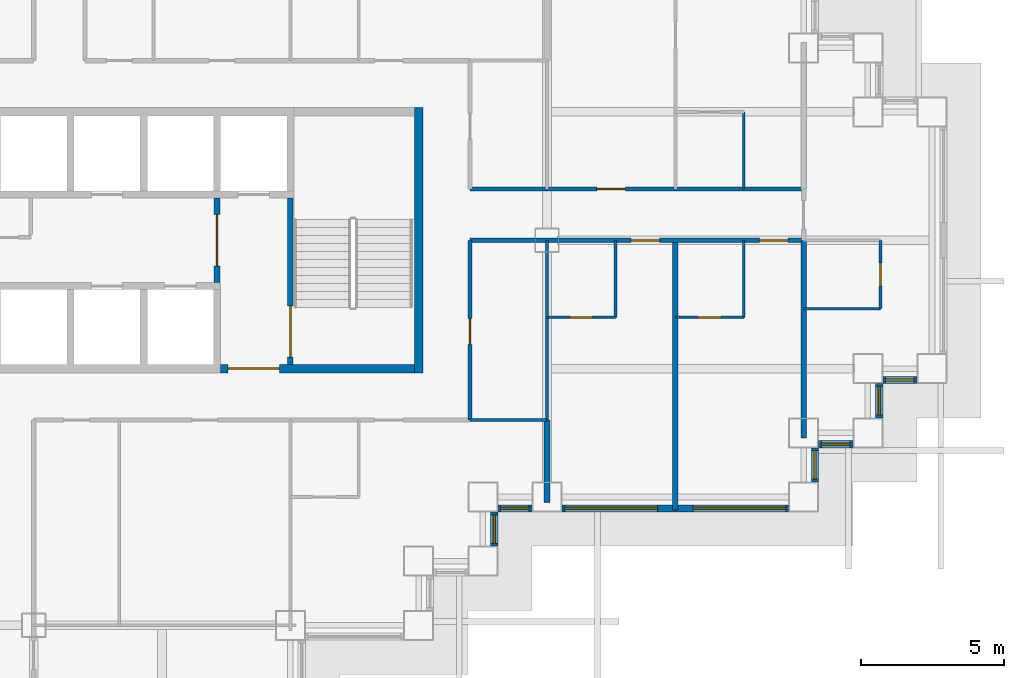
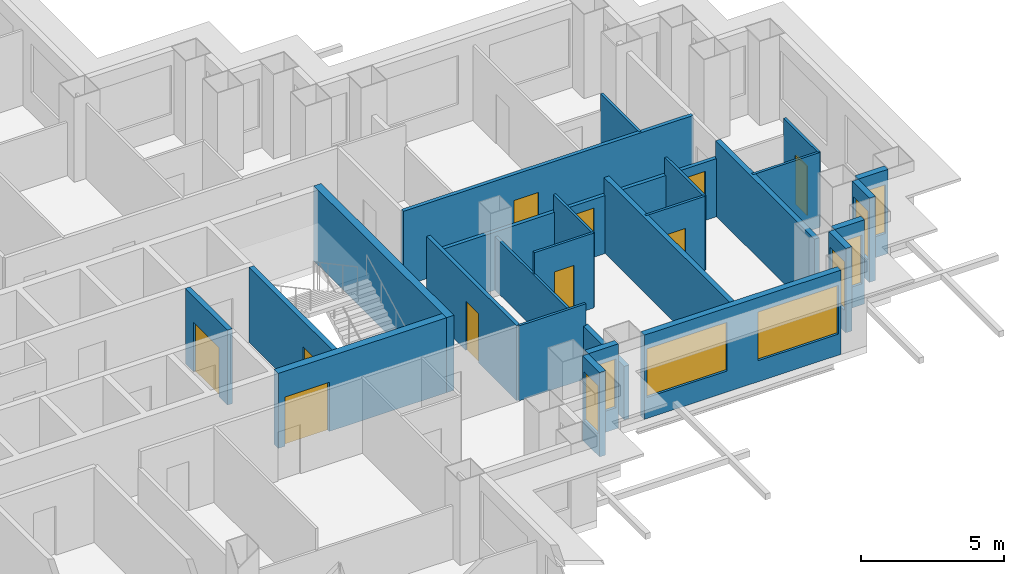
# One storey, part 6 of 15: 26 walls, 10 doors, 8 windows, 18 openings.
"""IFC4 building model written with IfcOpenShell, lengths in metres."""

from ifc_helpers import new_model, si_unit, direction, frame, frame_2d, origin, place, context, subcontext, project, spatial, rectangle, extrude, material, layer, layer_set, type_object, element, fill, save


model = new_model("IFC4")

# Units and contexts
model_context = context("Model", 3, precision=1e-05, world=origin(), true_north=direction((0.0, 1.0)))
body_context = subcontext(model_context, "Body", "Model", "MODEL_VIEW")
ifc_project = project(units=[si_unit("LENGTHUNIT", "METRE"), si_unit("AREAUNIT", "SQUARE_METRE"), si_unit("VOLUMEUNIT", "CUBIC_METRE"), si_unit("PLANEANGLEUNIT", "RADIAN"), si_unit("MASSUNIT", "GRAM", prefix="KILO")], contexts=[model_context])

# Site, building, storey
site_placement = place(None, origin())
site = spatial("IfcSite", under=ifc_project, at=site_placement, CompositionType="ELEMENT")
building_placement = place(site_placement, origin())
building = spatial("IfcBuilding", under=site, at=building_placement, Name="Caravel Reach Hotel and Residences", CompositionType="ELEMENT")
storey_placement = place(building_placement, frame((0.0, 0.0, 44.39990234375)))
storey = spatial("IfcBuildingStorey", under=building, at=storey_placement, Name="L09", CompositionType="ELEMENT", Elevation=44.39990234375)

# Wall, opening, door
ifc_material_1 = material(Name="Gypsum board on steel stud", Category="steel")
ifc_layer_1 = layer(ifc_material_1, 0.10009765625)
ifc_layer_set_1 = layer_set([ifc_layer_1], Name="Bathroom pod wall 100 mm")
wall_type_1 = type_object("IfcWallType", Name="Bathroom pod wall 100 mm", PredefinedType="PARTITIONING", material=ifc_layer_set_1)
wall_1_placement = place(storey_placement, frame((49.5, 24.300048828125, 0.0), z_axis=(0.0, 0.0, 1.0), x_axis=(1.0, 0.0, 0.0)))
wall_1 = element("IfcWall", 1, at=wall_1_placement, inside=storey, type_object=wall_type_1, Name="L09 wall w079", PredefinedType="PARTITIONING", context=body_context, shape_type="SweptSolid", body=[
    extrude(rectangle(XDim=2.39990234375, YDim=0.10009765625, at=frame_2d((1.199951171875, 0.0))), origin(), (0.0, 0.0, 1.0), 3.2001953125),
])
opening_1_placement = place(wall_1_placement, frame((0.800048828125, 0.0, 0.0)))
opening_1 = element("IfcOpeningElement", 2, at=opening_1_placement, cuts=wall_1, Name="Opening D09-021", PredefinedType="OPENING", context=body_context, shape_type="SweptSolid", body=[
    extrude(rectangle(XDim=0.800048828125, YDim=2.10009765625, at=frame_2d((0.39990234375, 1.050048828125))), frame((0.0, 0.06005859375, 0.0), z_axis=(0.0, -1.0, 0.0), x_axis=(1.0, 0.0, 0.0)), (0.0, 0.0, 1.0), 0.1201171875),
])
ifc_material_2 = material(Name="Timber and steel door leaf", Category="steel")
door_type_1 = type_object("IfcDoorType", Name="Bathroom door 800 x 2100", OperationType="SINGLE_SWING_LEFT", PredefinedType="DOOR", material=ifc_material_2)
door_1_placement = place(opening_1_placement, origin())
door_1 = element("IfcDoor", 3, at=door_1_placement, inside=storey, type_object=door_type_1, Name="door D09-021", OperationType="SINGLE_SWING_RIGHT", OverallHeight=2.10009765625, OverallWidth=0.800048828125, PredefinedType="DOOR", context=body_context, shape_type="SweptSolid", body=[
    extrude(rectangle(XDim=0.800048828125, YDim=2.10009765625, at=frame_2d((0.39990234375, 1.050048828125))), frame((0.0, 0.02490234375, 0.0), z_axis=(0.0, -1.0, 0.0), x_axis=(1.0, 0.0, 0.0)), (0.0, 0.0, 1.0), 0.050048828125),
])
fill(opening_1, door_1)

wall_2_placement = place(storey_placement, frame((54.0, 24.300048828125, 0.0), z_axis=(0.0, 0.0, 1.0), x_axis=(1.0, 0.0, 0.0)))
wall_2 = element("IfcWall", 4, at=wall_2_placement, inside=storey, type_object=wall_type_1, Name="L09 wall w080", PredefinedType="PARTITIONING", context=body_context, shape_type="SweptSolid", body=[
    extrude(rectangle(XDim=2.39990234375, YDim=0.10009765625, at=frame_2d((1.199951171875, 0.0))), origin(), (0.0, 0.0, 1.0), 3.2001953125),
])
opening_2_placement = place(wall_2_placement, frame((0.800048828125, 0.0, 0.0)))
opening_2 = element("IfcOpeningElement", 5, at=opening_2_placement, cuts=wall_2, Name="Opening D09-023", PredefinedType="OPENING", context=body_context, shape_type="SweptSolid", body=[
    extrude(rectangle(XDim=0.800048828125, YDim=2.10009765625, at=frame_2d((0.39990234375, 1.050048828125))), frame((0.0, 0.06005859375, 0.0), z_axis=(0.0, -1.0, 0.0), x_axis=(1.0, 0.0, 0.0)), (0.0, 0.0, 1.0), 0.1201171875),
])
door_2_placement = place(opening_2_placement, origin())
door_2 = element("IfcDoor", 6, at=door_2_placement, inside=storey, type_object=door_type_1, Name="door D09-023", OperationType="SINGLE_SWING_RIGHT", OverallHeight=2.10009765625, OverallWidth=0.800048828125, PredefinedType="DOOR", context=body_context, shape_type="SweptSolid", body=[
    extrude(rectangle(XDim=0.800048828125, YDim=2.10009765625, at=frame_2d((0.39990234375, 1.050048828125))), frame((0.0, 0.02490234375, 0.0), z_axis=(0.0, -1.0, 0.0), x_axis=(1.0, 0.0, 0.0)), (0.0, 0.0, 1.0), 0.050048828125),
])
fill(opening_2, door_2)

# Walls
for number, where, z_axis, x_axis, name in (
    (7, (58.5, 24.60009765625, 0.0), (0.0, 0.0, 1.0), (1.0, 0.0, 0.0), "L09 wall w081"),
    (8, (51.89990234375, 24.300048828125, 0.0), (0.0, 0.0, 1.0), (0.0, 1.0, 0.0), "L09 wall w101"),
    (9, (56.39990234375, 24.300048828125, 0.0), (0.0, 0.0, 1.0), (0.0, 1.0, 0.0), "L09 wall w102"),
    (10, (56.39990234375, 28.800048828125, 0.0), (0.0, 0.0, 1.0), (0.0, 1.0, 0.0), "L09 wall w103"),
):
    element("IfcWall", number, at=place(storey_placement, frame(where, z_axis=z_axis, x_axis=x_axis)), inside=storey, type_object=wall_type_1, Name=name, PredefinedType="PARTITIONING", context=body_context, shape_type="SweptSolid", body=[
        extrude(rectangle(XDim=2.699951171875, YDim=0.10009765625, at=frame_2d((1.35009765625, 0.0))), origin(), (0.0, 0.0, 1.0), 3.2001953125),
    ])

# Wall, opening, door
wall_3_placement = place(storey_placement, frame((61.199951171875, 24.60009765625, 0.0), z_axis=(0.0, 0.0, 1.0), x_axis=(0.0, 1.0, 0.0)))
wall_3 = element("IfcWall", 11, at=wall_3_placement, inside=storey, type_object=wall_type_1, Name="L09 wall w104", PredefinedType="PARTITIONING", context=body_context, shape_type="SweptSolid", body=[
    extrude(rectangle(XDim=2.39990234375, YDim=0.10009765625, at=frame_2d((1.199951171875, 0.0))), origin(), (0.0, 0.0, 1.0), 3.2001953125),
])
opening_3_placement = place(wall_3_placement, frame((0.800048828125, 0.0, 0.0)))
opening_3 = element("IfcOpeningElement", 12, at=opening_3_placement, cuts=wall_3, Name="Opening D09-039", PredefinedType="OPENING", context=body_context, shape_type="SweptSolid", body=[
    extrude(rectangle(XDim=0.800048828125, YDim=2.10009765625, at=frame_2d((0.39990234375, 1.050048828125))), frame((0.0, 0.06005859375, 0.0), z_axis=(0.0, -1.0, 0.0), x_axis=(1.0, 0.0, 0.0)), (0.0, 0.0, 1.0), 0.1201171875),
])
door_3_placement = place(opening_3_placement, origin())
door_3 = element("IfcDoor", 13, at=door_3_placement, inside=storey, type_object=door_type_1, Name="door D09-039", OperationType="SINGLE_SWING_RIGHT", OverallHeight=2.10009765625, OverallWidth=0.800048828125, PredefinedType="DOOR", context=body_context, shape_type="SweptSolid", body=[
    extrude(rectangle(XDim=0.800048828125, YDim=2.10009765625, at=frame_2d((0.39990234375, 1.050048828125))), frame((0.0, 0.02490234375, 0.0), z_axis=(0.0, -1.0, 0.0), x_axis=(1.0, 0.0, 0.0)), (0.0, 0.0, 1.0), 0.050048828125),
])
fill(opening_3, door_3)

ifc_material_3 = material(Name="Concrete C60", Category="concrete")
ifc_layer_2 = layer(ifc_material_3, 0.300048828125)
ifc_layer_set_2 = layer_set([ifc_layer_2], Name="Core wall 300 mm EI 120")
wall_type_2 = type_object("IfcWallType", Name="Core wall 300 mm EI 120", PredefinedType="SHEAR", material=ifc_layer_set_2)
wall_4_placement = place(storey_placement, frame((38.053466796875, 22.5, 0.0), z_axis=(0.0, 0.0, 1.0), x_axis=(1.0, 0.0, 0.0)))
wall_4 = element("IfcWall", 14, at=wall_4_placement, inside=storey, type_object=wall_type_2, Name="L09 core wall S2", PredefinedType="SHEAR", context=body_context, shape_type="SweptSolid", body=[
    extrude(rectangle(XDim=6.796630859375, YDim=0.300048828125, at=frame_2d((3.3984375, 0.0))), origin(), (0.0, 0.0, 1.0), 3.2001953125),
])
opening_4_placement = place(wall_4_placement, frame((0.2607421875, 0.0, 0.0)))
opening_4 = element("IfcOpeningElement", 15, at=opening_4_placement, cuts=wall_4, Name="Opening D09-015", PredefinedType="OPENING", context=body_context, shape_type="SweptSolid", body=[
    extrude(rectangle(XDim=1.800048828125, YDim=2.10009765625, at=frame_2d((0.89990234375, 1.050048828125))), frame((0.0, 0.159912109375, 0.0), z_axis=(0.0, -1.0, 0.0), x_axis=(1.0, 0.0, 0.0)), (0.0, 0.0, 1.0), 0.320068359375),
])
ifc_material_4 = material(Name="Steel fire door leaf", Category="steel")
door_type_2 = type_object("IfcDoorType", Name="Fire lobby door pair 1800 x 2100 EI 90", OperationType="DOUBLE_DOOR_SINGLE_SWING", PredefinedType="DOOR", material=ifc_material_4)
door_4_placement = place(opening_4_placement, origin())
door_4 = element("IfcDoor", 16, at=door_4_placement, inside=storey, type_object=door_type_2, Name="lobby S door pair to corridor", OperationType="DOUBLE_DOOR_SINGLE_SWING", OverallHeight=2.10009765625, OverallWidth=1.800048828125, PredefinedType="DOOR", context=body_context, shape_type="SweptSolid", body=[
    extrude(rectangle(XDim=1.800048828125, YDim=2.10009765625, at=frame_2d((0.89990234375, 1.050048828125))), frame((0.0, 0.02490234375, 0.0), z_axis=(0.0, -1.0, 0.0), x_axis=(1.0, 0.0, 0.0)), (0.0, 0.0, 1.0), 0.050048828125),
])
fill(opening_4, door_4)

# Wall
wall_5_placement = place(storey_placement, frame((45.0, 22.35009765625, 0.0), z_axis=(0.0, 0.0, 1.0), x_axis=(0.0, 1.0, 0.0)))
element("IfcWall", 17, at=wall_5_placement, inside=storey, type_object=wall_type_2, Name="L09 core wall E", PredefinedType="SHEAR", context=body_context, shape_type="SweptSolid", body=[
    extrude(rectangle(XDim=9.2998046875, YDim=0.300048828125, at=frame_2d((4.64990234375, 0.0))), origin(), (0.0, 0.0, 1.0), 3.2001953125),
])

# Wall, openings, doors
ifc_material_5 = material(Name="Gypsum board on steel stud, fire-rated", Category="steel")
ifc_layer_3 = layer(ifc_material_5, 0.14990234375)
ifc_layer_set_3 = layer_set([ifc_layer_3], Name="Corridor wall 150 mm EI 60")
wall_type_3 = type_object("IfcWallType", Name="Corridor wall 150 mm EI 60", PredefinedType="PARTITIONING", material=ifc_layer_set_3)
wall_6_placement = place(storey_placement, frame((46.800048828125, 27.0, 0.0), z_axis=(0.0, 0.0, 1.0), x_axis=(1.0, 0.0, 0.0)))
wall_6 = element("IfcWall", 18, at=wall_6_placement, inside=storey, type_object=wall_type_3, Name="L09 wall w011", PredefinedType="PARTITIONING", context=body_context, shape_type="SweptSolid", body=[
    extrude(rectangle(XDim=11.699951171875, YDim=0.14990234375, at=frame_2d((5.85009765625, 0.0))), origin(), (0.0, 0.0, 1.0), 2.47998046875),
])
opening_5_placement = place(wall_6_placement, frame((5.64990234375, 0.0, 0.0)))
opening_5 = element("IfcOpeningElement", 19, at=opening_5_placement, cuts=wall_6, Name="Opening D09-020", PredefinedType="OPENING", context=body_context, shape_type="SweptSolid", body=[
    extrude(rectangle(XDim=1.0, YDim=2.10009765625, at=frame_2d((0.5, 1.050048828125))), frame((0.0, 0.0849609375, 0.0), z_axis=(0.0, -1.0, 0.0), x_axis=(1.0, 0.0, 0.0)), (0.0, 0.0, 1.0), 0.169921875),
])
opening_6_placement = place(wall_6_placement, frame((10.14990234375, 0.0, 0.0)))
opening_6 = element("IfcOpeningElement", 20, at=opening_6_placement, cuts=wall_6, Name="Opening D09-022", PredefinedType="OPENING", context=body_context, shape_type="SweptSolid", body=[
    extrude(rectangle(XDim=1.0, YDim=2.10009765625, at=frame_2d((0.5, 1.050048828125))), frame((0.0, 0.0849609375, 0.0), z_axis=(0.0, -1.0, 0.0), x_axis=(1.0, 0.0, 0.0)), (0.0, 0.0, 1.0), 0.169921875),
])
ifc_material_6 = material(Name="Steel fire door leaf", Category="steel")
door_type_3 = type_object("IfcDoorType", Name="Guest room door 1000 x 2100 EI 30", OperationType="SINGLE_SWING_LEFT", PredefinedType="DOOR", material=ifc_material_6)
door_5_placement = place(opening_5_placement, origin())
door_5 = element("IfcDoor", 21, at=door_5_placement, inside=storey, type_object=door_type_3, Name="door D09-020", OperationType="SINGLE_SWING_RIGHT", OverallHeight=2.10009765625, OverallWidth=1.0, PredefinedType="DOOR", context=body_context, shape_type="SweptSolid", body=[
    extrude(rectangle(XDim=1.0, YDim=2.10009765625, at=frame_2d((0.5, 1.050048828125))), frame((0.0, 0.02490234375, 0.0), z_axis=(0.0, -1.0, 0.0), x_axis=(1.0, 0.0, 0.0)), (0.0, 0.0, 1.0), 0.050048828125),
])
fill(opening_5, door_5)
door_6_placement = place(opening_6_placement, origin())
door_6 = element("IfcDoor", 22, at=door_6_placement, inside=storey, type_object=door_type_3, Name="door D09-022", OperationType="SINGLE_SWING_RIGHT", OverallHeight=2.10009765625, OverallWidth=1.0, PredefinedType="DOOR", context=body_context, shape_type="SweptSolid", body=[
    extrude(rectangle(XDim=1.0, YDim=2.10009765625, at=frame_2d((0.5, 1.050048828125))), frame((0.0, 0.02490234375, 0.0), z_axis=(0.0, -1.0, 0.0), x_axis=(1.0, 0.0, 0.0)), (0.0, 0.0, 1.0), 0.050048828125),
])
fill(opening_6, door_6)

# Wall, opening, door
wall_7_placement = place(storey_placement, frame((46.800048828125, 28.800048828125, 0.0), z_axis=(0.0, 0.0, 1.0), x_axis=(1.0, 0.0, 0.0)))
wall_7 = element("IfcWall", 23, at=wall_7_placement, inside=storey, type_object=wall_type_3, Name="L09 wall w013", PredefinedType="PARTITIONING", context=body_context, shape_type="SweptSolid", body=[
    extrude(rectangle(XDim=11.699951171875, YDim=0.14990234375, at=frame_2d((5.85009765625, 0.0))), origin(), (0.0, 0.0, 1.0), 3.2001953125),
])
opening_7_placement = place(wall_7_placement, frame((4.449951171875, 0.0, 0.0)))
opening_7 = element("IfcOpeningElement", 24, at=opening_7_placement, cuts=wall_7, Name="Opening D09-024", PredefinedType="OPENING", context=body_context, shape_type="SweptSolid", body=[
    extrude(rectangle(XDim=1.0, YDim=2.10009765625, at=frame_2d((0.5, 1.050048828125))), frame((0.0, 0.0849609375, 0.0), z_axis=(0.0, -1.0, 0.0), x_axis=(1.0, 0.0, 0.0)), (0.0, 0.0, 1.0), 0.169921875),
])
door_7_placement = place(opening_7_placement, origin())
door_7 = element("IfcDoor", 25, at=door_7_placement, inside=storey, type_object=door_type_3, Name="door D09-024", OperationType="SINGLE_SWING_LEFT", OverallHeight=2.10009765625, OverallWidth=1.0, PredefinedType="DOOR", context=body_context, shape_type="SweptSolid", body=[
    extrude(rectangle(XDim=1.0, YDim=2.10009765625, at=frame_2d((0.5, 1.050048828125))), frame((0.0, 0.02490234375, 0.0), z_axis=(0.0, -1.0, 0.0), x_axis=(1.0, 0.0, 0.0)), (0.0, 0.0, 1.0), 0.050048828125),
])
fill(opening_7, door_7)

wall_8_placement = place(storey_placement, frame((46.800048828125, 20.699951171875, 0.0), z_axis=(0.0, 0.0, 1.0), x_axis=(0.0, 1.0, 0.0)))
wall_8 = element("IfcWall", 26, at=wall_8_placement, inside=storey, type_object=wall_type_3, Name="L09 wall w035", PredefinedType="PARTITIONING", context=body_context, shape_type="SweptSolid", body=[
    extrude(rectangle(XDim=6.300048828125, YDim=0.14990234375, at=frame_2d((3.14990234375, 0.0))), origin(), (0.0, 0.0, 1.0), 3.2001953125),
])
opening_8_placement = place(wall_8_placement, frame((2.64990234375, 0.0, 0.0)))
opening_8 = element("IfcOpeningElement", 27, at=opening_8_placement, cuts=wall_8, Name="Opening D09-059", PredefinedType="OPENING", context=body_context, shape_type="SweptSolid", body=[
    extrude(rectangle(XDim=0.89990234375, YDim=2.10009765625, at=frame_2d((0.449951171875, 1.050048828125))), frame((0.0, 0.0849609375, 0.0), z_axis=(0.0, -1.0, 0.0), x_axis=(1.0, 0.0, 0.0)), (0.0, 0.0, 1.0), 0.169921875),
])
ifc_material_7 = material(Name="Timber and steel door leaf", Category="steel")
door_type_4 = type_object("IfcDoorType", Name="Door 900 x 2100 timber", OperationType="SINGLE_SWING_LEFT", PredefinedType="DOOR", material=ifc_material_7)
door_8_placement = place(opening_8_placement, origin())
door_8 = element("IfcDoor", 28, at=door_8_placement, inside=storey, type_object=door_type_4, Name="door D09-059", OperationType="SINGLE_SWING_RIGHT", OverallHeight=2.10009765625, OverallWidth=0.89990234375, PredefinedType="DOOR", context=body_context, shape_type="SweptSolid", body=[
    extrude(rectangle(XDim=0.89990234375, YDim=2.10009765625, at=frame_2d((0.449951171875, 1.050048828125))), frame((0.0, 0.02490234375, 0.0), z_axis=(0.0, -1.0, 0.0), x_axis=(1.0, 0.0, 0.0)), (0.0, 0.0, 1.0), 0.050048828125),
])
fill(opening_8, door_8)

# Wall, opening, window
ifc_material_8 = material(Name="Insulated rainscreen wall, aluminium cladding", Category="aluminium")
ifc_layer_4 = layer(ifc_material_8, 0.25)
ifc_layer_set_4 = layer_set([ifc_layer_4], Name="EW1 Tower rainscreen wall")
wall_type_4 = type_object("IfcWallType", Name="EW1 Tower rainscreen wall", PredefinedType="SOLIDWALL", material=ifc_layer_set_4)
wall_9_placement = place(storey_placement, frame((47.64990234375, 16.27490234375, 0.0), z_axis=(0.0, 0.0, 1.0), x_axis=(0.0, 1.0, 0.0)))
wall_9 = element("IfcWall", 29, at=wall_9_placement, inside=storey, type_object=wall_type_4, Name="External wall L09 E14.1", PredefinedType="SOLIDWALL", context=body_context, shape_type="SweptSolid", body=[
    extrude(rectangle(XDim=1.2001953125, YDim=0.25, at=frame_2d((0.60009765625, 0.0))), origin(), (0.0, 0.0, 1.0), 3.60009765625),
])
opening_9_placement = place(wall_9_placement, frame((0.10009765625, 0.0, 0.89990234375)))
opening_9 = element("IfcOpeningElement", 30, at=opening_9_placement, cuts=wall_9, Name="Opening WN1", PredefinedType="OPENING", context=body_context, shape_type="SweptSolid", body=[
    extrude(rectangle(XDim=1.0, YDim=2.080078125, at=frame_2d((0.5, 1.0400390625))), frame((0.0, 0.135009765625, 0.0), z_axis=(0.0, -1.0, 0.0), x_axis=(1.0, 0.0, 0.0)), (0.0, 0.0, 1.0), 0.27001953125),
])
ifc_material_9 = material(Name="Dark low-e glazing in black aluminium frame", Category="aluminium")
window_type_1 = type_object("IfcWindowType", Name="Hotel suite corner window 1000 x 2080", PartitioningType="SINGLE_PANEL", PredefinedType="WINDOW", material=ifc_material_9)
window_1_placement = place(opening_9_placement, origin())
window_1 = element("IfcWindow", 31, at=window_1_placement, inside=storey, type_object=window_type_1, Name="Window L09 E14.1.1", OverallHeight=2.080078125, OverallWidth=1.0, PartitioningType="SINGLE_PANEL", PredefinedType="WINDOW", context=body_context, shape_type="SweptSolid", body=[
    extrude(rectangle(XDim=1.0, YDim=2.080078125, at=frame_2d((0.5, 1.0400390625))), frame((0.0, 0.030029296875, 0.0), z_axis=(0.0, -1.0, 0.0), x_axis=(1.0, 0.0, 0.0)), (0.0, 0.0, 1.0), 0.06005859375),
])
fill(opening_9, window_1)

wall_10_placement = place(storey_placement, frame((47.77490234375, 17.60009765625, 0.0), z_axis=(0.0, 0.0, 1.0), x_axis=(1.0, 0.0, 0.0)))
wall_10 = element("IfcWall", 32, at=wall_10_placement, inside=storey, type_object=wall_type_4, Name="External wall L09 S15.1", PredefinedType="SOLIDWALL", context=body_context, shape_type="SweptSolid", body=[
    extrude(rectangle(XDim=1.2001953125, YDim=0.25, at=frame_2d((0.60009765625, 0.0))), origin(), (0.0, 0.0, 1.0), 3.60009765625),
])
opening_10_placement = place(wall_10_placement, frame((0.10009765625, 0.0, 0.89990234375)))
opening_10 = element("IfcOpeningElement", 33, at=opening_10_placement, cuts=wall_10, Name="Opening WN1", PredefinedType="OPENING", context=body_context, shape_type="SweptSolid", body=[
    extrude(rectangle(XDim=1.0, YDim=2.080078125, at=frame_2d((0.5, 1.0400390625))), frame((0.0, 0.135009765625, 0.0), z_axis=(0.0, -1.0, 0.0), x_axis=(1.0, 0.0, 0.0)), (0.0, 0.0, 1.0), 0.27001953125),
])
window_2_placement = place(opening_10_placement, origin())
window_2 = element("IfcWindow", 34, at=window_2_placement, inside=storey, type_object=window_type_1, Name="Window L09 S15.1.1", OverallHeight=2.080078125, OverallWidth=1.0, PartitioningType="SINGLE_PANEL", PredefinedType="WINDOW", context=body_context, shape_type="SweptSolid", body=[
    extrude(rectangle(XDim=1.0, YDim=2.080078125, at=frame_2d((0.5, 1.0400390625))), frame((0.0, 0.030029296875, 0.0), z_axis=(0.0, -1.0, 0.0), x_axis=(1.0, 0.0, 0.0)), (0.0, 0.0, 1.0), 0.06005859375),
])
fill(opening_10, window_2)

# Wall, openings, windows
wall_11_placement = place(storey_placement, frame((50.02490234375, 17.60009765625, 0.0), z_axis=(0.0, 0.0, 1.0), x_axis=(1.0, 0.0, 0.0)))
wall_11 = element("IfcWall", 35, at=wall_11_placement, inside=storey, type_object=wall_type_4, Name="External wall L09 S15.2", PredefinedType="SOLIDWALL", context=body_context, shape_type="SweptSolid", body=[
    extrude(rectangle(XDim=7.9501953125, YDim=0.25, at=frame_2d((3.97509765625, 0.0))), origin(), (0.0, 0.0, 1.0), 3.60009765625),
])
opening_11_placement = place(wall_11_placement, frame((0.10009765625, 0.0, 0.89990234375)))
opening_11 = element("IfcOpeningElement", 36, at=opening_11_placement, cuts=wall_11, Name="Opening WN2", PredefinedType="OPENING", context=body_context, shape_type="SweptSolid", body=[
    extrude(rectangle(XDim=3.25, YDim=2.080078125, at=frame_2d((1.625, 1.0400390625))), frame((0.0, 0.135009765625, 0.0), z_axis=(0.0, -1.0, 0.0), x_axis=(1.0, 0.0, 0.0)), (0.0, 0.0, 1.0), 0.27001953125),
])
opening_12_placement = place(wall_11_placement, frame((4.60009765625, 0.0, 0.89990234375)))
opening_12 = element("IfcOpeningElement", 37, at=opening_12_placement, cuts=wall_11, Name="Opening WN2", PredefinedType="OPENING", context=body_context, shape_type="SweptSolid", body=[
    extrude(rectangle(XDim=3.25, YDim=2.080078125, at=frame_2d((1.625, 1.0400390625))), frame((0.0, 0.135009765625, 0.0), z_axis=(0.0, -1.0, 0.0), x_axis=(1.0, 0.0, 0.0)), (0.0, 0.0, 1.0), 0.27001953125),
])
ifc_material_10 = material(Name="Dark low-e glazing in black aluminium frame", Category="aluminium")
window_type_2 = type_object("IfcWindowType", Name="Hotel guest room window 3250 x 2080", PartitioningType="SINGLE_PANEL", PredefinedType="WINDOW", material=ifc_material_10)
window_3_placement = place(opening_11_placement, origin())
window_3 = element("IfcWindow", 38, at=window_3_placement, inside=storey, type_object=window_type_2, Name="Window L09 S15.2.1", OverallHeight=2.080078125, OverallWidth=3.25, PartitioningType="SINGLE_PANEL", PredefinedType="WINDOW", context=body_context, shape_type="SweptSolid", body=[
    extrude(rectangle(XDim=3.25, YDim=2.080078125, at=frame_2d((1.625, 1.0400390625))), frame((0.0, 0.030029296875, 0.0), z_axis=(0.0, -1.0, 0.0), x_axis=(1.0, 0.0, 0.0)), (0.0, 0.0, 1.0), 0.06005859375),
])
fill(opening_11, window_3)
window_4_placement = place(opening_12_placement, origin())
window_4 = element("IfcWindow", 39, at=window_4_placement, inside=storey, type_object=window_type_2, Name="Window L09 S15.2.2", OverallHeight=2.080078125, OverallWidth=3.25, PartitioningType="SINGLE_PANEL", PredefinedType="WINDOW", context=body_context, shape_type="SweptSolid", body=[
    extrude(rectangle(XDim=3.25, YDim=2.080078125, at=frame_2d((1.625, 1.0400390625))), frame((0.0, 0.030029296875, 0.0), z_axis=(0.0, -1.0, 0.0), x_axis=(1.0, 0.0, 0.0)), (0.0, 0.0, 1.0), 0.06005859375),
])
fill(opening_12, window_4)

# Wall, opening, window
wall_12_placement = place(storey_placement, frame((58.89990234375, 18.52490234375, 0.0), z_axis=(0.0, 0.0, 1.0), x_axis=(0.0, 1.0, 0.0)))
wall_12 = element("IfcWall", 40, at=wall_12_placement, inside=storey, type_object=wall_type_4, Name="External wall L09 E16.1", PredefinedType="SOLIDWALL", context=body_context, shape_type="SweptSolid", body=[
    extrude(rectangle(XDim=1.2001953125, YDim=0.25, at=frame_2d((0.60009765625, 0.0))), origin(), (0.0, 0.0, 1.0), 3.60009765625),
])
opening_13_placement = place(wall_12_placement, frame((0.10009765625, 0.0, 0.89990234375)))
opening_13 = element("IfcOpeningElement", 41, at=opening_13_placement, cuts=wall_12, Name="Opening WN1", PredefinedType="OPENING", context=body_context, shape_type="SweptSolid", body=[
    extrude(rectangle(XDim=1.0, YDim=2.080078125, at=frame_2d((0.5, 1.0400390625))), frame((0.0, 0.135009765625, 0.0), z_axis=(0.0, -1.0, 0.0), x_axis=(1.0, 0.0, 0.0)), (0.0, 0.0, 1.0), 0.27001953125),
])
window_5_placement = place(opening_13_placement, origin())
window_5 = element("IfcWindow", 42, at=window_5_placement, inside=storey, type_object=window_type_1, Name="Window L09 E16.1.1", OverallHeight=2.080078125, OverallWidth=1.0, PartitioningType="SINGLE_PANEL", PredefinedType="WINDOW", context=body_context, shape_type="SweptSolid", body=[
    extrude(rectangle(XDim=1.0, YDim=2.080078125, at=frame_2d((0.5, 1.0400390625))), frame((0.0, 0.030029296875, 0.0), z_axis=(0.0, -1.0, 0.0), x_axis=(1.0, 0.0, 0.0)), (0.0, 0.0, 1.0), 0.06005859375),
])
fill(opening_13, window_5)

wall_13_placement = place(storey_placement, frame((59.02490234375, 19.85009765625, 0.0), z_axis=(0.0, 0.0, 1.0), x_axis=(1.0, 0.0, 0.0)))
wall_13 = element("IfcWall", 43, at=wall_13_placement, inside=storey, type_object=wall_type_4, Name="External wall L09 S17.1", PredefinedType="SOLIDWALL", context=body_context, shape_type="SweptSolid", body=[
    extrude(rectangle(XDim=1.2001953125, YDim=0.25, at=frame_2d((0.60009765625, 0.0))), origin(), (0.0, 0.0, 1.0), 3.60009765625),
])
opening_14_placement = place(wall_13_placement, frame((0.10009765625, 0.0, 0.89990234375)))
opening_14 = element("IfcOpeningElement", 44, at=opening_14_placement, cuts=wall_13, Name="Opening WN1", PredefinedType="OPENING", context=body_context, shape_type="SweptSolid", body=[
    extrude(rectangle(XDim=1.0, YDim=2.080078125, at=frame_2d((0.5, 1.0400390625))), frame((0.0, 0.135009765625, 0.0), z_axis=(0.0, -1.0, 0.0), x_axis=(1.0, 0.0, 0.0)), (0.0, 0.0, 1.0), 0.27001953125),
])
window_6_placement = place(opening_14_placement, origin())
window_6 = element("IfcWindow", 45, at=window_6_placement, inside=storey, type_object=window_type_1, Name="Window L09 S17.1.1", OverallHeight=2.080078125, OverallWidth=1.0, PartitioningType="SINGLE_PANEL", PredefinedType="WINDOW", context=body_context, shape_type="SweptSolid", body=[
    extrude(rectangle(XDim=1.0, YDim=2.080078125, at=frame_2d((0.5, 1.0400390625))), frame((0.0, 0.030029296875, 0.0), z_axis=(0.0, -1.0, 0.0), x_axis=(1.0, 0.0, 0.0)), (0.0, 0.0, 1.0), 0.06005859375),
])
fill(opening_14, window_6)

wall_14_placement = place(storey_placement, frame((61.14990234375, 20.77490234375, 0.0), z_axis=(0.0, 0.0, 1.0), x_axis=(0.0, 1.0, 0.0)))
wall_14 = element("IfcWall", 46, at=wall_14_placement, inside=storey, type_object=wall_type_4, Name="External wall L09 E18.1", PredefinedType="SOLIDWALL", context=body_context, shape_type="SweptSolid", body=[
    extrude(rectangle(XDim=1.2001953125, YDim=0.25, at=frame_2d((0.60009765625, 0.0))), origin(), (0.0, 0.0, 1.0), 3.60009765625),
])
opening_15_placement = place(wall_14_placement, frame((0.10009765625, 0.0, 0.89990234375)))
opening_15 = element("IfcOpeningElement", 47, at=opening_15_placement, cuts=wall_14, Name="Opening WN1", PredefinedType="OPENING", context=body_context, shape_type="SweptSolid", body=[
    extrude(rectangle(XDim=1.0, YDim=2.080078125, at=frame_2d((0.5, 1.0400390625))), frame((0.0, 0.135009765625, 0.0), z_axis=(0.0, -1.0, 0.0), x_axis=(1.0, 0.0, 0.0)), (0.0, 0.0, 1.0), 0.27001953125),
])
window_7_placement = place(opening_15_placement, origin())
window_7 = element("IfcWindow", 48, at=window_7_placement, inside=storey, type_object=window_type_1, Name="Window L09 E18.1.1", OverallHeight=2.080078125, OverallWidth=1.0, PartitioningType="SINGLE_PANEL", PredefinedType="WINDOW", context=body_context, shape_type="SweptSolid", body=[
    extrude(rectangle(XDim=1.0, YDim=2.080078125, at=frame_2d((0.5, 1.0400390625))), frame((0.0, 0.030029296875, 0.0), z_axis=(0.0, -1.0, 0.0), x_axis=(1.0, 0.0, 0.0)), (0.0, 0.0, 1.0), 0.06005859375),
])
fill(opening_15, window_7)

wall_15_placement = place(storey_placement, frame((61.27490234375, 22.10009765625, 0.0), z_axis=(0.0, 0.0, 1.0), x_axis=(1.0, 0.0, 0.0)))
wall_15 = element("IfcWall", 49, at=wall_15_placement, inside=storey, type_object=wall_type_4, Name="External wall L09 S19.1", PredefinedType="SOLIDWALL", context=body_context, shape_type="SweptSolid", body=[
    extrude(rectangle(XDim=1.2001953125, YDim=0.25, at=frame_2d((0.60009765625, 0.0))), origin(), (0.0, 0.0, 1.0), 3.60009765625),
])
opening_16_placement = place(wall_15_placement, frame((0.10009765625, 0.0, 0.89990234375)))
opening_16 = element("IfcOpeningElement", 50, at=opening_16_placement, cuts=wall_15, Name="Opening WN1", PredefinedType="OPENING", context=body_context, shape_type="SweptSolid", body=[
    extrude(rectangle(XDim=1.0, YDim=2.080078125, at=frame_2d((0.5, 1.0400390625))), frame((0.0, 0.135009765625, 0.0), z_axis=(0.0, -1.0, 0.0), x_axis=(1.0, 0.0, 0.0)), (0.0, 0.0, 1.0), 0.27001953125),
])
window_8_placement = place(opening_16_placement, origin())
window_8 = element("IfcWindow", 51, at=window_8_placement, inside=storey, type_object=window_type_1, Name="Window L09 S19.1.1", OverallHeight=2.080078125, OverallWidth=1.0, PartitioningType="SINGLE_PANEL", PredefinedType="WINDOW", context=body_context, shape_type="SweptSolid", body=[
    extrude(rectangle(XDim=1.0, YDim=2.080078125, at=frame_2d((0.5, 1.0400390625))), frame((0.0, 0.030029296875, 0.0), z_axis=(0.0, -1.0, 0.0), x_axis=(1.0, 0.0, 0.0)), (0.0, 0.0, 1.0), 0.06005859375),
])
fill(opening_16, window_8)

# Wall, opening, door
ifc_material_11 = material(Name="Autoclaved aerated block wall")
ifc_layer_5 = layer(ifc_material_11, 0.199951171875)
ifc_layer_set_5 = layer_set([ifc_layer_5], Name="Fire lobby wall 200 mm EI 120")
wall_type_5 = type_object("IfcWallType", Name="Fire lobby wall 200 mm EI 120", PredefinedType="PARTITIONING", material=ifc_layer_set_5)
wall_16_placement = place(storey_placement, frame((37.928466796875, 25.52490234375, 0.0), z_axis=(0.0, 0.0, 1.0), x_axis=(0.0, 1.0, 0.0)))
wall_16 = element("IfcWall", 52, at=wall_16_placement, inside=storey, type_object=wall_type_5, Name="L09 lobby E wall", PredefinedType="PARTITIONING", context=body_context, shape_type="SweptSolid", body=[
    extrude(rectangle(XDim=2.9501953125, YDim=0.199951171875, at=frame_2d((1.47509765625, 0.0))), origin(), (0.0, 0.0, 1.0), 3.2001953125),
])
opening_17_placement = place(wall_16_placement, frame((0.574951171875, 0.0, 0.0)))
opening_17 = element("IfcOpeningElement", 53, at=opening_17_placement, cuts=wall_16, Name="Opening D09-013", PredefinedType="OPENING", context=body_context, shape_type="SweptSolid", body=[
    extrude(rectangle(XDim=1.800048828125, YDim=2.10009765625, at=frame_2d((0.89990234375, 1.050048828125))), frame((0.0, 0.10986328125, 0.0), z_axis=(0.0, -1.0, 0.0), x_axis=(1.0, 0.0, 0.0)), (0.0, 0.0, 1.0), 0.219970703125),
])
door_9_placement = place(opening_17_placement, origin())
door_9 = element("IfcDoor", 54, at=door_9_placement, inside=storey, type_object=door_type_2, Name="lobby E door pair", OperationType="DOUBLE_DOOR_SINGLE_SWING", OverallHeight=2.10009765625, OverallWidth=1.800048828125, PredefinedType="DOOR", context=body_context, shape_type="SweptSolid", body=[
    extrude(rectangle(XDim=1.800048828125, YDim=2.10009765625, at=frame_2d((0.89990234375, 1.050048828125))), frame((0.0, 0.02490234375, 0.0), z_axis=(0.0, -1.0, 0.0), x_axis=(1.0, 0.0, 0.0)), (0.0, 0.0, 1.0), 0.050048828125),
])
fill(opening_17, door_9)

# Walls
ifc_material_12 = material(Name="Gypsum board on steel stud", Category="steel")
ifc_layer_6 = layer(ifc_material_12, 0.10009765625)
ifc_layer_set_6 = layer_set([ifc_layer_6], Name="Partition 100 mm")
wall_type_6 = type_object("IfcWallType", Name="Partition 100 mm", PredefinedType="PARTITIONING", material=ifc_layer_set_6)
wall_17_placement = place(storey_placement, frame((46.800048828125, 20.699951171875, 0.0), z_axis=(0.0, 0.0, 1.0), x_axis=(1.0, 0.0, 0.0)))
element("IfcWall", 55, at=wall_17_placement, inside=storey, type_object=wall_type_6, Name="L09 wall w042", PredefinedType="PARTITIONING", context=body_context, shape_type="SweptSolid", body=[
    extrude(rectangle(XDim=2.699951171875, YDim=0.10009765625, at=frame_2d((1.35009765625, 0.0))), origin(), (0.0, 0.0, 1.0), 3.2001953125),
])
wall_18_placement = place(storey_placement, frame((49.5, 20.699951171875, 0.0), z_axis=(0.0, 0.0, 1.0), x_axis=(0.0, 1.0, 0.0)))
element("IfcWall", 56, at=wall_18_placement, inside=storey, type_object=wall_type_6, Name="L09 wall w062", PredefinedType="PARTITIONING", context=body_context, shape_type="SweptSolid", body=[
    extrude(rectangle(XDim=6.300048828125, YDim=0.10009765625, at=frame_2d((3.14990234375, 0.0))), origin(), (0.0, 0.0, 1.0), 2.280029296875),
])
ifc_material_13 = material(Name="Autoclaved aerated block wall")
ifc_layer_7 = layer(ifc_material_13, 0.199951171875)
ifc_layer_set_7 = layer_set([ifc_layer_7], Name="Party wall 200 mm EI 60")
wall_type_7 = type_object("IfcWallType", Name="Party wall 200 mm EI 60", PredefinedType="PARTITIONING", material=ifc_layer_set_7)
wall_19_placement = place(storey_placement, frame((49.5, 17.81005859375, 0.0), z_axis=(0.0, 0.0, 1.0), x_axis=(0.0, 1.0, 0.0)))
element("IfcWall", 57, at=wall_19_placement, inside=storey, type_object=wall_type_7, Name="L09 wall w069", PredefinedType="PARTITIONING", context=body_context, shape_type="SweptSolid", body=[
    extrude(rectangle(XDim=2.889892578125, YDim=0.199951171875, at=frame_2d((1.44482421875, 0.0))), origin(), (0.0, 0.0, 1.0), 2.280029296875),
])
wall_20_placement = place(storey_placement, frame((54.0, 17.534912109375, 0.0), z_axis=(0.0, 0.0, 1.0), x_axis=(0.0, 1.0, 0.0)))
element("IfcWall", 58, at=wall_20_placement, inside=storey, type_object=wall_type_7, Name="L09 wall w071", PredefinedType="PARTITIONING", context=body_context, shape_type="SweptSolid", body=[
    extrude(rectangle(XDim=9.465087890625, YDim=0.199951171875, at=frame_2d((4.732421875, 0.0))), origin(), (0.0, 0.0, 1.0), 3.2001953125),
])
wall_21_placement = place(storey_placement, frame((58.5, 20.06005859375, 0.0), z_axis=(0.0, 0.0, 1.0), x_axis=(0.0, 1.0, 0.0)))
element("IfcWall", 59, at=wall_21_placement, inside=storey, type_object=wall_type_7, Name="L09 wall w072", PredefinedType="PARTITIONING", context=body_context, shape_type="SweptSolid", body=[
    extrude(rectangle(XDim=6.93994140625, YDim=0.199951171875, at=frame_2d((3.469970703125, 0.0))), origin(), (0.0, 0.0, 1.0), 3.2001953125),
])

# Wall, opening, door
ifc_material_14 = material(Name="Concrete C60", Category="concrete")
ifc_layer_8 = layer(ifc_material_14, 0.199951171875)
ifc_layer_set_8 = layer_set([ifc_layer_8], Name="Stair enclosure wall 200 mm EI 120")
wall_type_8 = type_object("IfcWallType", Name="Stair enclosure wall 200 mm EI 120", PredefinedType="SHEAR", material=ifc_layer_set_8)
wall_22_placement = place(storey_placement, frame((40.5, 22.64990234375, 0.0), z_axis=(0.0, 0.0, 1.0), x_axis=(0.0, 1.0, 0.0)))
wall_22 = element("IfcWall", 60, at=wall_22_placement, inside=storey, type_object=wall_type_8, Name="L09 stair B wall", PredefinedType="SHEAR", context=body_context, shape_type="SweptSolid", body=[
    extrude(rectangle(XDim=5.8251953125, YDim=0.199951171875, at=frame_2d((2.91259765625, 0.0))), origin(), (0.0, 0.0, 1.0), 3.2001953125),
])
opening_18_placement = place(wall_22_placement, frame((0.25, 0.0, 0.0)))
opening_18 = element("IfcOpeningElement", 61, at=opening_18_placement, cuts=wall_22, Name="Opening D09-011", PredefinedType="OPENING", context=body_context, shape_type="SweptSolid", body=[
    extrude(rectangle(XDim=1.800048828125, YDim=2.10009765625, at=frame_2d((0.89990234375, 1.050048828125))), frame((0.0, 0.10986328125, 0.0), z_axis=(0.0, -1.0, 0.0), x_axis=(1.0, 0.0, 0.0)), (0.0, 0.0, 1.0), 0.219970703125),
])
ifc_material_15 = material(Name="Steel fire door leaf", Category="steel")
door_type_5 = type_object("IfcDoorType", Name="Stair door pair 1800 x 2100 EI 90", OperationType="DOUBLE_DOOR_SINGLE_SWING", PredefinedType="DOOR", material=ifc_material_15)
door_10_placement = place(opening_18_placement, origin())
door_10 = element("IfcDoor", 62, at=door_10_placement, inside=storey, type_object=door_type_5, Name="stair B door pair", OperationType="DOUBLE_DOOR_SINGLE_SWING", OverallHeight=2.10009765625, OverallWidth=1.800048828125, PredefinedType="DOOR", context=body_context, shape_type="SweptSolid", body=[
    extrude(rectangle(XDim=1.800048828125, YDim=2.10009765625, at=frame_2d((0.89990234375, 1.050048828125))), frame((0.0, 0.02490234375, 0.0), z_axis=(0.0, -1.0, 0.0), x_axis=(1.0, 0.0, 0.0)), (0.0, 0.0, 1.0), 0.050048828125),
])
fill(opening_18, door_10)

save(model, "model.ifc")
